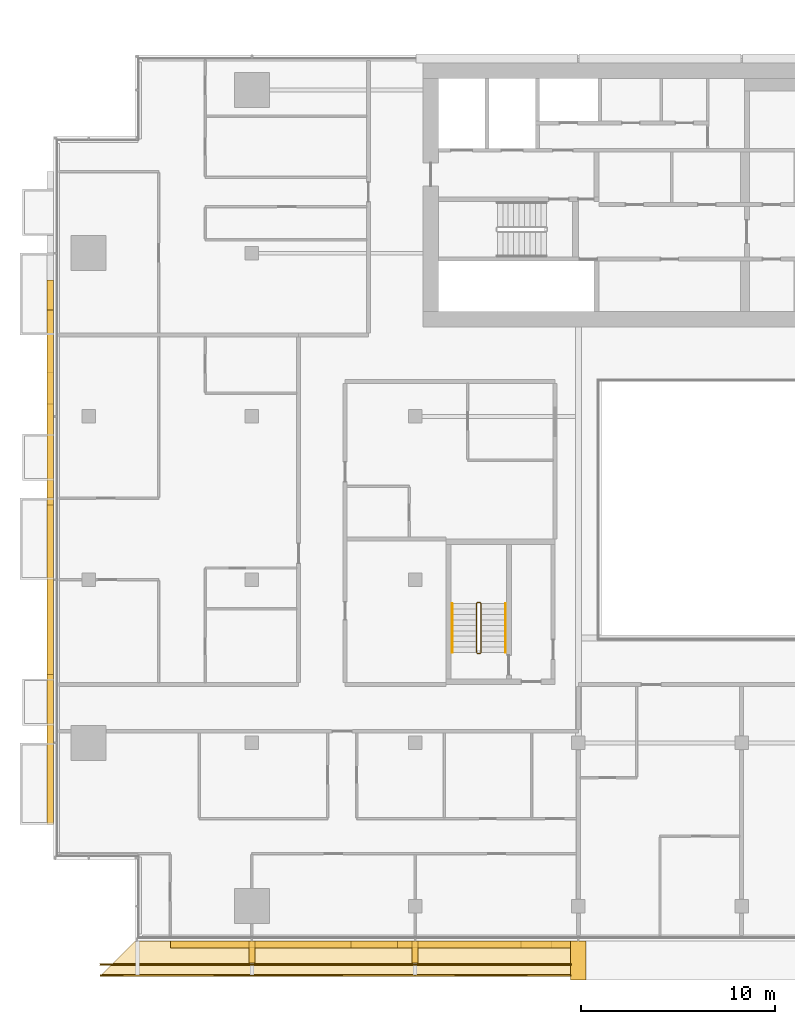
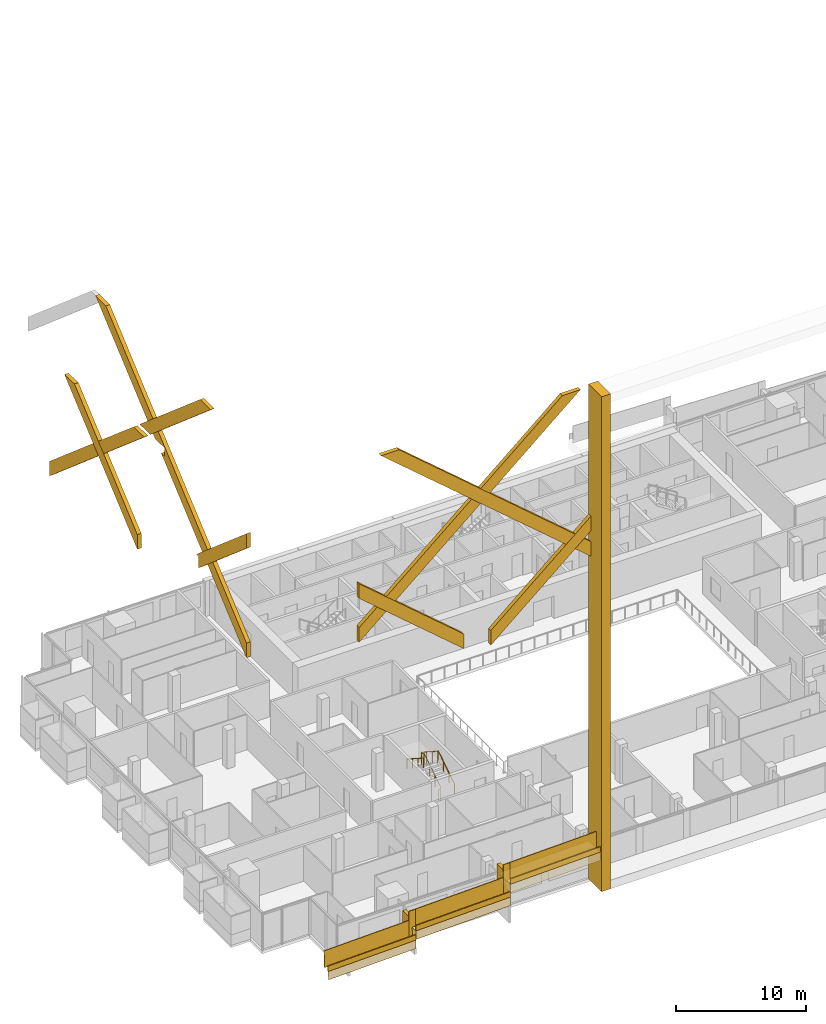
# One storey, part 27 of 31: 18 coverings, 8 railings.
"""IFC4 building model written with IfcOpenShell, lengths in metres."""

import ifcopenshell
import ifcopenshell.guid

model = None  # the IFC model being written
_history = None  # IfcOwnerHistory: only IFC2X3 demands one
_inside = {}  # id of a spatial element -> (the spatial element, [elements in it])
_under = {}  # id of a project, library or spatial element -> (it, [spatial elements below it])
_declared = {}  # id of a project -> (the project, [libraries it declares])
_typed = {}  # id of a type object -> (the type object, [elements of that type])
_made_of = {}  # id of a material, layer set ... -> (it, [elements and type objects made of it])


def new_model(schema):
    """Start an empty IFC model of exactly this schema.

    Asked for "IFC4X3", IfcOpenShell would pick the latest addendum, in which some entities
    have other attributes; the version numbers below select the first issue.
    IFC2X3 requires an IfcOwnerHistory on every rooted entity: one is made here for all.
    """
    global model, _history
    if schema == "IFC4X3":
        model = ifcopenshell.file(schema_version=(4, 3, 0, 0))
    else:
        model = ifcopenshell.file(schema=schema)
    _inside.clear()
    _under.clear()
    _declared.clear()
    _typed.clear()
    _made_of.clear()
    _history = None
    if model.schema == "IFC2X3":
        org = make("IfcOrganization", Name="unknown")
        user = make(
            "IfcPersonAndOrganization",
            ThePerson=make("IfcPerson", FamilyName="unknown"),
            TheOrganization=org,
        )
        app = make(
            "IfcApplication",
            ApplicationDeveloper=org,
            Version="unknown",
            ApplicationFullName="unknown",
            ApplicationIdentifier="unknown",
        )
        _history = make(
            "IfcOwnerHistory",
            OwningUser=user,
            OwningApplication=app,
            ChangeAction="ADDED",
            CreationDate=0,
        )
    return model


def make(cls, **values):
    """One entity of the class cls with the attributes given. An attribute that is None is left unset."""
    return model.create_entity(
        cls, **{name: value for name, value in values.items() if value is not None}
    )


def rooted(cls, **values):
    """An entity with a GlobalId (a new one), such as an element, a storey or a relation."""
    return make(cls, GlobalId=ifcopenshell.guid.new(), OwnerHistory=_history, **values)


def si_unit(unit_type, name, prefix=None):
    """IfcSIUnit, for example si_unit("LENGTHUNIT", "METRE", prefix="MILLI")."""
    return make("IfcSIUnit", UnitType=unit_type, Prefix=prefix, Name=name)


def assignment(units):
    """IfcUnitAssignment: the units of a project."""
    return None if units is None else make("IfcUnitAssignment", Units=units)


def point(xyz):
    """IfcCartesianPoint."""
    return None if xyz is None else make("IfcCartesianPoint", Coordinates=xyz)


def direction(xyz):
    """IfcDirection."""
    return None if xyz is None else make("IfcDirection", DirectionRatios=xyz)


def frame(location, z_axis=None, x_axis=None):
    """IfcAxis2Placement3D, a coordinate frame: its origin and axes. An axis left out is left unset."""
    return make(
        "IfcAxis2Placement3D",
        Location=point(location),
        Axis=direction(z_axis),
        RefDirection=direction(x_axis),
    )


def frame_2d(location, x_axis=None):
    """IfcAxis2Placement2D, a coordinate frame in the plane: its origin and x axis."""
    return make(
        "IfcAxis2Placement2D", Location=point(location), RefDirection=direction(x_axis)
    )


def origin():
    """The frame at (0, 0, 0) with its axes left unset."""
    return frame((0.0, 0.0, 0.0))


def origin_2d():
    """The frame at (0, 0) in the plane with its x axis left unset."""
    return frame_2d((0.0, 0.0))


def place(relative_to, where):
    """IfcLocalPlacement: puts the frame where relative to a parent placement (None: the world)."""
    return make(
        "IfcLocalPlacement", PlacementRelTo=relative_to, RelativePlacement=where
    )


def context(
    kind, dimensions, precision=None, world=None, true_north=None, identifier=None
):
    """IfcGeometricRepresentationContext, for example the 3D "Model" context."""
    return make(
        "IfcGeometricRepresentationContext",
        ContextIdentifier=identifier,
        ContextType=kind,
        CoordinateSpaceDimension=dimensions,
        Precision=precision,
        WorldCoordinateSystem=world,
        TrueNorth=true_north,
    )


def subcontext(parent, identifier, kind, view, scale=None):
    """IfcGeometricRepresentationSubContext, for example "Body" below "Model"."""
    return make(
        "IfcGeometricRepresentationSubContext",
        ContextIdentifier=identifier,
        ContextType=kind,
        ParentContext=parent,
        TargetScale=scale,
        TargetView=view,
    )


def project(units=None, contexts=None):
    """IfcProject with its units and contexts."""
    return rooted(
        "IfcProject",
        Name="project",
        RepresentationContexts=contexts,
        UnitsInContext=assignment(units),
    )


def spatial(cls, under=None, at=None, **own):
    """A site, building, storey or space (cls), placed at a placement, below another one or the project."""
    s = rooted(cls, ObjectPlacement=at, **own)
    if under is not None:
        _under.setdefault(under.id(), (under, []))[1].append(s)
    return s


def polyline(points):
    """IfcPolyline through the points."""
    return make("IfcPolyline", Points=[point(p) for p in points])


def profile(cls, at=None, kind="AREA", **sizes):
    """A parametric profile (cls). Its sizes go by their IFC names, for example OverallWidth=200.0."""
    return make(cls, ProfileType=kind, Position=at, **sizes)


def rectangle(**sizes):
    """IfcRectangleProfileDef."""
    return profile("IfcRectangleProfileDef", **sizes)


def circle(**sizes):
    """IfcCircleProfileDef."""
    return profile("IfcCircleProfileDef", **sizes)


def outline(outer, holes=None, kind="AREA"):
    """IfcArbitraryClosedProfileDef: a profile drawn as a closed curve; with holes, ...WithVoids."""
    if holes is None:
        return make("IfcArbitraryClosedProfileDef", ProfileType=kind, OuterCurve=outer)
    return make(
        "IfcArbitraryProfileDefWithVoids",
        ProfileType=kind,
        OuterCurve=outer,
        InnerCurves=holes,
    )


def extrude(swept, where, along, depth):
    """IfcExtrudedAreaSolid: the profile swept, set in the frame where, extruded along a direction by depth."""
    return make(
        "IfcExtrudedAreaSolid",
        SweptArea=swept,
        Position=where,
        ExtrudedDirection=direction(along),
        Depth=depth,
    )


def shape(context_of_items, identifier, shape_type, items):
    """IfcShapeRepresentation: the items that make up one representation, for example the "Body"."""
    return make(
        "IfcShapeRepresentation",
        ContextOfItems=context_of_items,
        RepresentationIdentifier=identifier,
        RepresentationType=shape_type,
        Items=items,
    )


def material(Name=None, Category=None):
    """IfcMaterial."""
    return make("IfcMaterial", Name=Name, Category=Category)


def layer(
    of_material, thickness, ventilated=None, Name=None, Category=None, Priority=None
):
    """IfcMaterialLayer: one layer of a wall or slab, of a material (None: an air gap)."""
    return make(
        "IfcMaterialLayer",
        Material=of_material,
        LayerThickness=thickness,
        IsVentilated=ventilated,
        Name=Name,
        Category=Category,
        Priority=Priority,
    )


def layer_set(layers, Name=None):
    """IfcMaterialLayerSet."""
    return make("IfcMaterialLayerSet", MaterialLayers=layers, LayerSetName=Name)


def made_of(thing, what):
    """Note that an element or type object is made of a material, layer set ...; save() writes the relation."""
    if what is not None:
        _made_of.setdefault(what.id(), (what, []))[1].append(thing)
    return thing


def type_object(cls, material=None, **own):
    """A type object (cls), such as IfcWallType, which elements share."""
    return made_of(rooted(cls, **own), material)


def element(
    cls,
    number,
    at=None,
    inside=None,
    cuts=None,
    type_object=None,
    material=None,
    context=None,
    identifier="Body",
    shape_type=None,
    held_by="IfcProductDefinitionShape",
    body=None,
    shapes=None,
    **own,
):
    """One element of the class cls, such as IfcWall. Its Tag is "e" and its number.

    at: its placement. inside: the storey or other place that contains it. cuts: it is an
    opening in that element (IfcRelVoidsElement). A single representation is given by context,
    identifier, shape_type and body (its items); several are given by shapes. held_by: the class
    of the entity that holds the representations. save() writes the other relations.
    """
    e = rooted(cls, Tag="e%d" % number, ObjectPlacement=at, **own)
    if body is not None:
        shapes = [shape(context, identifier, shape_type, body)]
    if shapes is not None:
        e.Representation = make(held_by, Representations=shapes)
    if inside is not None:
        _inside.setdefault(inside.id(), (inside, []))[1].append(e)
    if cuts is not None:
        rooted(
            "IfcRelVoidsElement", RelatingBuildingElement=cuts, RelatedOpeningElement=e
        )
    if type_object is not None:
        _typed.setdefault(type_object.id(), (type_object, []))[1].append(e)
    return made_of(e, material)


def aggregate(whole, parts):
    """IfcRelAggregates: a whole, such as a stair, and the parts it consists of."""
    return rooted("IfcRelAggregates", RelatingObject=whole, RelatedObjects=parts)


def save(model, path):
    """Write the relations noted so far, then the file.

    IfcRelAggregates (storeys below a building ...), IfcRelContainedInSpatialStructure (elements
    in a storey), IfcRelDefinesByType, IfcRelAssociatesMaterial and IfcRelDeclares: one each for
    every whole, place, type object, material and project.
    """
    for whole, parts in _under.values():
        aggregate(whole, parts)
    for where, things in _inside.values():
        rooted(
            "IfcRelContainedInSpatialStructure",
            RelatedElements=things,
            RelatingStructure=where,
        )
    for kind, things in _typed.values():
        rooted("IfcRelDefinesByType", RelatedObjects=things, RelatingType=kind)
    for what, things in _made_of.values():
        rooted("IfcRelAssociatesMaterial", RelatedObjects=things, RelatingMaterial=what)
    for by, libraries in _declared.values():
        rooted("IfcRelDeclares", RelatingContext=by, RelatedDefinitions=libraries)
    model.write(path)


model = new_model("IFC4")

# Units and contexts
model_context = context("Model", 3, precision=1e-05, world=origin(), true_north=direction((0.0, 1.0)))
body_context = subcontext(model_context, "Body", "Model", "MODEL_VIEW")
ifc_project = project(units=[si_unit("LENGTHUNIT", "METRE"), si_unit("AREAUNIT", "SQUARE_METRE"), si_unit("VOLUMEUNIT", "CUBIC_METRE"), si_unit("PLANEANGLEUNIT", "RADIAN"), si_unit("MASSUNIT", "GRAM", prefix="KILO")], contexts=[model_context])

# Site, building, storey
site_placement = place(None, origin())
site = spatial("IfcSite", under=ifc_project, at=site_placement, CompositionType="ELEMENT")
building_placement = place(site_placement, origin())
building = spatial("IfcBuilding", under=site, at=building_placement, Name="Saffron Gate Tower", CompositionType="ELEMENT")
storey_placement = place(building_placement, frame((0.0, 0.0, 147.449951171875)))
storey = spatial("IfcBuildingStorey", under=building, at=storey_placement, Name="L35", CompositionType="ELEMENT", Elevation=147.449951171875)

# Railings
ifc_material_1 = material(Name="Stainless steel and laminated glass", Category="steel")
railing_type_1 = type_object("IfcRailingType", Name="CR1 Stair guard 1100", PredefinedType="GUARDRAIL", material=ifc_material_1)
railing_1_placement = place(storey_placement, frame((69.800048828125, 44.800048828125, 0.0)))
element("IfcRailing", 1, at=railing_1_placement, inside=storey, type_object=railing_type_1, Name="L35 ST-D stair guard 1", PredefinedType="GUARDRAIL", context=body_context, shape_type="SweptSolid", body=[
    extrude(circle(Radius=0.02392578125, at=origin_2d()), frame((0.0, 0.0, 1.076171875), z_axis=(1.0, 0.0, 0.0), x_axis=(0.0, 1.0, 0.0)), (0.0, 0.0, 1.0), 0.14990234375),
    extrude(circle(Radius=0.02392578125, at=origin_2d()), frame((0.14990234375, 0.0, 1.076171875), z_axis=(0.258847668887, 0.258847668887, 0.930588936439), x_axis=(-0.707106781187, 0.707106781187, 0.0)), (0.0, 0.0, 1.0), 0.193359375),
    extrude(circle(Radius=0.02392578125, at=origin_2d()), frame((0.199951171875, 0.050048828125, 1.255859375), z_axis=(0.0, 0.841162588446, 0.540782303519), x_axis=(-1.0, 0.0, 0.0)), (0.0, 0.0, 1.0), 2.995849609375),
    extrude(circle(Radius=0.02392578125, at=origin_2d()), frame((0.199951171875, 2.570068359375, 2.8759765625), z_axis=(-0.708833529934, 0.705375805398, 0.0), x_axis=(-0.705375805398, -0.708833529934, 0.0)), (0.0, 0.0, 1.0), 0.070556640625),
    extrude(circle(Radius=0.02392578125, at=origin_2d()), frame((0.14990234375, 2.619873046875, 2.8759765625), z_axis=(-1.0, 0.0, 0.0), x_axis=(0.0, -1.0, 0.0)), (0.0, 0.0, 1.0), 0.14990234375),
    extrude(circle(Radius=0.02392578125, at=origin_2d()), frame((0.0, 2.619873046875, 2.8759765625), z_axis=(-0.258932105505, -0.257669022063, 0.930892496375), x_axis=(0.705375805398, -0.708833529934, 0.0)), (0.0, 0.0, 1.0), 0.193359375),
    extrude(circle(Radius=0.02392578125, at=origin_2d()), frame((-0.050048828125, 2.570068359375, 3.05615234375), z_axis=(0.0, -0.841162588446, 0.540782303519), x_axis=(1.0, 0.0, 0.0)), (0.0, 0.0, 1.0), 2.995849609375),
    extrude(circle(Radius=0.02099609375, at=origin_2d()), origin(), (0.0, 0.0, 1.0), 1.052001953125),
    extrude(circle(Radius=0.02099609375, at=origin_2d()), frame((0.14990234375, 0.0, 0.0)), (0.0, 0.0, 1.0), 1.052001953125),
    extrude(circle(Radius=0.02099609375, at=origin_2d()), frame((0.199951171875, 0.050048828125, 0.179931640625)), (0.0, 0.0, 1.0), 1.052001953125),
    extrude(circle(Radius=0.02099609375, at=origin_2d()), frame((0.199951171875, 0.89013671875, 0.719970703125)), (0.0, 0.0, 1.0), 1.052001953125),
    extrude(circle(Radius=0.02099609375, at=origin_2d()), frame((0.199951171875, 1.72998046875, 1.260009765625)), (0.0, 0.0, 1.0), 1.052001953125),
    extrude(circle(Radius=0.02099609375, at=origin_2d()), frame((0.199951171875, 2.570068359375, 1.800048828125)), (0.0, 0.0, 1.0), 1.052001953125),
    extrude(circle(Radius=0.02099609375, at=origin_2d()), frame((0.14990234375, 2.619873046875, 1.800048828125)), (0.0, 0.0, 1.0), 1.052001953125),
    extrude(circle(Radius=0.02099609375, at=origin_2d()), frame((0.0, 2.619873046875, 1.800048828125)), (0.0, 0.0, 1.0), 1.052001953125),
    extrude(circle(Radius=0.02099609375, at=origin_2d()), frame((-0.050048828125, 2.570068359375, 1.97998046875)), (0.0, 0.0, 1.0), 1.052001953125),
    extrude(circle(Radius=0.02099609375, at=origin_2d()), frame((-0.050048828125, 1.72998046875, 2.52001953125)), (0.0, 0.0, 1.0), 1.052001953125),
    extrude(circle(Radius=0.02099609375, at=origin_2d()), frame((-0.050048828125, 0.89013671875, 3.06005859375)), (0.0, 0.0, 1.0), 1.052001953125),
    extrude(circle(Radius=0.02099609375, at=origin_2d()), frame((-0.050048828125, 0.050048828125, 3.60009765625)), (0.0, 0.0, 1.0), 1.052001953125),
])
ifc_material_2 = material(Name="Stainless steel", Category="steel")
railing_type_2 = type_object("IfcRailingType", Name="CR2 Stair handrail 900", PredefinedType="HANDRAIL", material=ifc_material_2)
railing_2_placement = place(storey_placement, frame((71.25, 44.85009765625, 0.179931640625)))
element("IfcRailing", 2, at=railing_2_placement, inside=storey, type_object=railing_type_2, Name="L35 ST-D stair handrail 1", PredefinedType="HANDRAIL", context=body_context, shape_type="SweptSolid", body=[
    extrude(circle(Radius=0.02392578125, at=origin_2d()), frame((0.0, 0.0, 0.8759765625), z_axis=(0.0, 0.841162588446, 0.540782303519), x_axis=(-1.0, 0.0, 0.0)), (0.0, 0.0, 1.0), 2.995849609375),
    extrude(circle(Radius=0.02099609375, at=origin_2d()), origin(), (0.0, 0.0, 1.0), 0.851806640625),
    extrude(circle(Radius=0.02099609375, at=origin_2d()), frame((0.0, 0.840087890625, 0.5400390625)), (0.0, 0.0, 1.0), 0.851806640625),
    extrude(circle(Radius=0.02099609375, at=origin_2d()), frame((0.0, 1.679931640625, 1.080078125)), (0.0, 0.0, 1.0), 0.851806640625),
    extrude(circle(Radius=0.02099609375, at=origin_2d()), frame((0.0, 2.52001953125, 1.6201171875)), (0.0, 0.0, 1.0), 0.851806640625),
])
railing_3_placement = place(storey_placement, frame((68.5, 47.3701171875, 1.97998046875)))
element("IfcRailing", 3, at=railing_3_placement, inside=storey, type_object=railing_type_2, Name="L35 ST-D stair handrail 2", PredefinedType="HANDRAIL", context=body_context, shape_type="SweptSolid", body=[
    extrude(circle(Radius=0.02392578125, at=origin_2d()), frame((0.0, 0.0, 0.8759765625), z_axis=(0.0, -0.841162588446, 0.540782303519), x_axis=(1.0, 0.0, 0.0)), (0.0, 0.0, 1.0), 2.995849609375),
    extrude(circle(Radius=0.02099609375, at=origin_2d()), origin(), (0.0, 0.0, 1.0), 0.851806640625),
    extrude(circle(Radius=0.02099609375, at=origin_2d()), frame((0.0, -0.840087890625, 0.5400390625)), (0.0, 0.0, 1.0), 0.851806640625),
    extrude(circle(Radius=0.02099609375, at=origin_2d()), frame((0.0, -1.679931640625, 1.080078125)), (0.0, 0.0, 1.0), 0.851806640625),
    extrude(circle(Radius=0.02099609375, at=origin_2d()), frame((0.0, -2.52001953125, 1.6201171875)), (0.0, 0.0, 1.0), 0.851806640625),
])

# Coverings
ifc_material_3 = material(Name="Ceramic-printed bronze insulated panel")
ifc_layer_1 = layer(ifc_material_3, 0.800048828125)
ifc_layer_set_1 = layer_set([ifc_layer_1], Name="FN1 atrium fin")
covering_type_1 = type_object("IfcCoveringType", Name="FN1 atrium fin", PredefinedType="CLADDING", material=ifc_layer_set_1)
covering_1_placement = place(storey_placement, origin())
element("IfcCovering", 4, at=covering_1_placement, inside=storey, type_object=covering_type_1, Name="CLADDING atrium fin", PredefinedType="CLADDING", context=body_context, shape_type="SweptSolid", body=[
    extrude(outline(polyline([(74.60009765625, 30.0), (75.39990234375, 30.0), (75.39990234375, 28.0), (74.60009765625, 28.0), (74.60009765625, 30.0)])), origin(), (0.0, 0.0, 1.0), 46.5),
])
ifc_material_4 = material(Name="Timber, thermally modified ash", Category="wood")
ifc_layer_2 = layer(ifc_material_4, 0.800048828125)
ifc_layer_set_2 = layer_set([ifc_layer_2], Name="LD1 ledge timber")
covering_type_2 = type_object("IfcCoveringType", Name="LD1 ledge timber", PredefinedType="CLADDING", material=ifc_layer_set_2)
covering_2_placement = place(storey_placement, frame((52.199951171875, 30.0, 0.900146484375), z_axis=(-0.028807146299, -3.5027307e-05, 0.99958498743), x_axis=(0.999584988043, -3.68e-10, 0.028807146316)))
element("IfcCovering", 5, at=covering_2_placement, inside=storey, type_object=covering_type_2, Name="LEDGE", PredefinedType="CLADDING", context=body_context, shape_type="SweptSolid", body=[
    extrude(outline(polyline([(0.0, 0.0), (6.0024892885105, 2.541098841762901e-21), (6.002489289172793, -1.8000488270207489), (-1.800799813548424, -1.8000488321003227), (0.0, 0.0)])), origin(), (0.0, 0.0, -1.0), 0.800048828125),
])
covering_3_placement = place(storey_placement, frame((58.199951171875, 30.0, 1.93017578125), z_axis=(-0.028819366951, 0.0, 0.999584635781), x_axis=(0.999584635781, 0.0, 0.028819366951)))
element("IfcCovering", 6, at=covering_3_placement, inside=storey, type_object=covering_type_2, Name="LEDGE", PredefinedType="CLADDING", context=body_context, shape_type="SweptSolid", body=[
    extrude(outline(polyline([(0.0, 0.0), (8.403637054520734, 0.0), (8.403637054520734, -1.800048828125), (0.0, -1.800048828125), (0.0, 0.0)])), origin(), (0.0, 0.0, -1.0), 0.800048828125),
])
covering_4_placement = place(storey_placement, frame((66.60009765625, 30.0, 3.37255859375), z_axis=(-0.028796646555, 0.0, 0.999585290582), x_axis=(0.999585290582, 0.0, 0.028796646555)))
element("IfcCovering", 7, at=covering_4_placement, inside=storey, type_object=covering_type_2, Name="LEDGE", PredefinedType="CLADDING", context=body_context, shape_type="SweptSolid", body=[
    extrude(outline(polyline([(0.0, 0.0), (8.003319051788862, 0.0), (8.003319051788862, -1.800048828125), (0.0, -1.800048828125), (0.0, 0.0)])), origin(), (0.0, 0.0, -1.0), 0.800048828125),
])
ifc_layer_3 = layer(ifc_material_4, 0.080078125)
ifc_layer_set_3 = layer_set([ifc_layer_3], Name="LD2 ledge planter trough")
covering_type_3 = type_object("IfcCoveringType", Name="LD2 ledge planter trough", PredefinedType="CLADDING", material=ifc_layer_set_3)
covering_5_placement = place(storey_placement, frame((50.39990234375, 28.199951171875, 0.84814453125), z_axis=(0.0, -1.0, 0.0), x_axis=(0.999584755248, 0.0, 0.028815222999)))
element("IfcCovering", 8, at=covering_5_placement, inside=storey, type_object=covering_type_3, Name="LEDGE planter trough", PredefinedType="CLADDING", context=body_context, shape_type="SweptSolid", body=[
    extrude(outline(polyline([(0.0, 0.0), (7.803289102975944, 0.0), (7.8176967144752565, 0.4997923776238338), (0.014407611499312996, 0.4997923776238338), (0.0, 0.0)])), origin(), (0.0, 0.0, -1.0), 0.080078125),
])
covering_6_placement = place(storey_placement, frame((58.199951171875, 28.199951171875, 1.93017578125), z_axis=(0.0, -1.0, 0.0), x_axis=(0.999584635781, 0.0, 0.028819366951)))
element("IfcCovering", 9, at=covering_6_placement, inside=storey, type_object=covering_type_3, Name="LEDGE planter trough", PredefinedType="CLADDING", context=body_context, shape_type="SweptSolid", body=[
    extrude(outline(polyline([(0.0, 0.0), (8.403637054520734, 2.7755575615628914e-17), (8.418046737996397, 0.49979231789027256), (0.014409683475663392, 0.4997923178902725), (0.0, 0.0)])), origin(), (0.0, 0.0, -1.0), 0.080078125),
])
covering_7_placement = place(storey_placement, frame((66.60009765625, 28.199951171875, 3.37255859375), z_axis=(0.0, -1.0, 0.0), x_axis=(0.999585290582, 0.0, 0.028796646555)))
element("IfcCovering", 10, at=covering_7_placement, inside=storey, type_object=covering_type_3, Name="LEDGE planter trough", PredefinedType="CLADDING", context=body_context, shape_type="SweptSolid", body=[
    extrude(outline(polyline([(0.0, 0.0), (8.003319051788862, 0.0), (8.017717375066283, 0.4997926452908234), (0.014398323277421184, 0.49979264529082346), (0.0, 0.0)])), origin(), (0.0, 0.0, -1.0), 0.080078125),
])
ifc_layer_4 = layer(ifc_material_4, 0.300048828125)
ifc_layer_set_4 = layer_set([ifc_layer_4], Name="LD3 ledge riser fin")
covering_type_4 = type_object("IfcCoveringType", Name="LD3 ledge riser fin", PredefinedType="CLADDING", material=ifc_layer_set_4)
covering_8_placement = place(storey_placement, frame((58.199951171875, 29.43994140625, 0.27294921875), z_axis=(0.0, 0.0, 1.0), x_axis=(1.0, 0.0, 0.0)))
element("IfcCovering", 11, at=covering_8_placement, inside=storey, type_object=covering_type_4, Name="LEDGE riser fin", PredefinedType="CLADDING", context=body_context, shape_type="SweptSolid", body=[
    extrude(rectangle(XDim=0.300048828125, YDim=1.1201171875, at=origin_2d()), origin(), (0.0, 0.0, 1.0), 2.557373046875),
])
covering_9_placement = place(storey_placement, frame((66.60009765625, 29.43994140625, 1.372314453125), z_axis=(0.0, 0.0, 1.0), x_axis=(1.0, 0.0, 0.0)))
element("IfcCovering", 12, at=covering_9_placement, inside=storey, type_object=covering_type_4, Name="LEDGE riser fin", PredefinedType="CLADDING", context=body_context, shape_type="SweptSolid", body=[
    extrude(rectangle(XDim=0.300048828125, YDim=1.1201171875, at=origin_2d()), origin(), (0.0, 0.0, 1.0), 2.900390625),
])

# Railings
railing_type_3 = type_object("IfcRailingType", Name="LG1 ledge balustrade", PredefinedType="BALUSTRADE", material=ifc_material_4)
railing_4_placement = place(storey_placement, frame((50.39990234375, 28.800048828125, 0.84814453125)))
element("IfcRailing", 13, at=railing_4_placement, inside=storey, type_object=railing_type_3, Name="LEDGE BALUSTRADE", PredefinedType="BALUSTRADE", context=body_context, shape_type="SweptSolid", body=[
    extrude(rectangle(XDim=0.06005859375, YDim=1.60009765625, at=origin_2d()), frame((0.0, 0.0, 0.800048828125), z_axis=(0.999584755248, 0.0, 0.028815222999), x_axis=(0.0, 1.0, 0.0)), (0.0, 0.0, 1.0), 7.80322265625),
])
railing_5_placement = place(storey_placement, frame((58.199951171875, 28.800048828125, 1.93017578125)))
element("IfcRailing", 14, at=railing_5_placement, inside=storey, type_object=railing_type_3, Name="LEDGE BALUSTRADE", PredefinedType="BALUSTRADE", context=body_context, shape_type="SweptSolid", body=[
    extrude(rectangle(XDim=0.06005859375, YDim=1.60009765625, at=origin_2d()), frame((0.0, 0.0, 0.800048828125), z_axis=(0.999584635781, 0.0, 0.028819366951), x_axis=(0.0, 1.0, 0.0)), (0.0, 0.0, 1.0), 8.403564453125),
])
railing_6_placement = place(storey_placement, frame((57.89990234375, 28.800048828125, 1.072998046875)))
element("IfcRailing", 15, at=railing_6_placement, inside=storey, type_object=railing_type_3, Name="LEDGE BALUSTRADE", PredefinedType="BALUSTRADE", context=body_context, shape_type="SweptSolid", body=[
    extrude(rectangle(XDim=0.06005859375, YDim=2.45751953125, at=origin_2d()), frame((0.0, 0.0, 1.228759765625), z_axis=(1.0, 0.0, 0.0), x_axis=(0.0, 1.0, 0.0)), (0.0, 0.0, 1.0), 0.60009765625),
])
railing_7_placement = place(storey_placement, frame((66.60009765625, 28.800048828125, 3.37255859375)))
element("IfcRailing", 16, at=railing_7_placement, inside=storey, type_object=railing_type_3, Name="LEDGE BALUSTRADE", PredefinedType="BALUSTRADE", context=body_context, shape_type="SweptSolid", body=[
    extrude(rectangle(XDim=0.06005859375, YDim=1.60009765625, at=origin_2d()), frame((0.0, 0.0, 0.800048828125), z_axis=(0.999585290582, 0.0, 0.028796646555), x_axis=(0.0, 1.0, 0.0)), (0.0, 0.0, 1.0), 8.00341796875),
])
railing_8_placement = place(storey_placement, frame((66.300048828125, 28.800048828125, 2.17236328125)))
element("IfcRailing", 17, at=railing_8_placement, inside=storey, type_object=railing_type_3, Name="LEDGE BALUSTRADE", PredefinedType="BALUSTRADE", context=body_context, shape_type="SweptSolid", body=[
    extrude(rectangle(XDim=0.06005859375, YDim=2.80029296875, at=origin_2d()), frame((0.0, 0.0, 1.400146484375), z_axis=(1.0, 0.0, 0.0), x_axis=(0.0, 1.0, 0.0)), (0.0, 0.0, 1.0), 0.599853515625),
])

# Coverings
ifc_layer_5 = layer(ifc_material_3, 0.35009765625)
ifc_layer_set_5 = layer_set([ifc_layer_5], Name="LZ1 lozenge lattice bar 1600")
covering_type_5 = type_object("IfcCoveringType", Name="LZ1 lozenge lattice bar 1600", PredefinedType="CLADDING", material=ifc_layer_set_5)
covering_10_placement = place(storey_placement, frame((54.0, 29.64990234375, 29.6572265625), z_axis=(0.0, -1.0, 0.0), x_axis=(0.759256602365, 0.0, 0.650791373456)))
element("IfcCovering", 18, at=covering_10_placement, inside=storey, type_object=covering_type_5, Name="CLADDING lozenge lattice bar", PredefinedType="CLADDING", context=body_context, shape_type="SweptSolid", body=[
    extrude(outline(polyline([(0.0, 0.0), (25.88044974852383, 0.0), (24.665750403968218, 1.041170866761954), (0.8924548693120544, 1.0411973475307301), (0.0, 0.0)])), origin(), (0.0, 0.0, -1.0), 0.35009765625),
])
covering_11_placement = place(storey_placement, frame((65.699951171875, 29.64990234375, 26.6572265625), z_axis=(0.0, -1.0, 0.0), x_axis=(0.0, 0.0, -1.0)))
element("IfcCovering", 19, at=covering_11_placement, inside=storey, type_object=covering_type_5, Name="CLADDING lozenge lattice bar", PredefinedType="CLADDING", context=body_context, shape_type="SweptSolid", body=[
    extrude(outline(polyline([(0.0, 0.0), (1.37158203125, 0.0), (-6.599853515625, 9.300048828125), (-7.971435546875, 9.300048828125), (0.0, 0.0)])), origin(), (0.0, 0.0, -1.0), 0.35009765625),
])
covering_12_placement = place(storey_placement, frame((63.300048828125, 29.64990234375, 25.800048828125), z_axis=(0.0, -1.0, 0.0), x_axis=(0.0, 0.0, 1.0)))
element("IfcCovering", 20, at=covering_12_placement, inside=storey, type_object=covering_type_5, Name="CLADDING lozenge lattice bar", PredefinedType="CLADDING", context=body_context, shape_type="SweptSolid", body=[
    extrude(outline(polyline([(0.0, 0.0), (1.371337890625, 0.0), (9.3427734375, 9.300048828125), (7.971435546875, 9.300048828125), (0.0, 0.0)])), origin(), (0.0, 0.0, -1.0), 0.35009765625),
])
covering_13_placement = place(storey_placement, frame((75.0, 29.64990234375, 30.17138671875), z_axis=(0.0, -1.0, 0.0), x_axis=(0.0, 0.0, 1.0)))
element("IfcCovering", 21, at=covering_13_placement, inside=storey, type_object=covering_type_5, Name="CLADDING lozenge lattice bar", PredefinedType="CLADDING", context=body_context, shape_type="SweptSolid", body=[
    extrude(outline(polyline([(0.0, 0.0), (1.37158203125, 0.0), (16.32861328125, 17.449951171875), (16.32861328125, 19.050048828125), (0.0, 0.0)])), origin(), (0.0, 0.0, -1.0), 0.35009765625),
])
covering_14_placement = place(storey_placement, frame((47.64990234375, 66.300048828125, 26.6572265625), z_axis=(-1.0, 0.0, 0.0), x_axis=(0.0, 0.0, -1.0)))
element("IfcCovering", 22, at=covering_14_placement, inside=storey, type_object=covering_type_5, Name="CLADDING lozenge lattice bar", PredefinedType="CLADDING", context=body_context, shape_type="SweptSolid", body=[
    extrude(outline(polyline([(0.0, 0.0), (1.37158203125, 0.0), (-11.0947265625, 14.5439453125), (-11.046875, 12.88818359375), (0.0, 0.0)])), origin(), (0.0, 0.0, -1.0), 0.35009765625),
])
covering_15_placement = place(storey_placement, frame((47.64990234375, 52.446044921875, 38.531982421875), z_axis=(-1.0, 0.0, 0.0), x_axis=(0.0, -0.999586778905, 0.028744937603)))
element("IfcCovering", 23, at=covering_15_placement, inside=storey, type_object=covering_type_5, Name="CLADDING lozenge lattice bar", PredefinedType="CLADDING", context=body_context, shape_type="SweptSolid", body=[
    extrude(outline(polyline([(0.0, 0.0), (1.6562019557102479, 0.0), (11.120533806419362, 7.651520297340154), (9.52134138401551, 7.697507986820872), (0.0, 0.0)])), origin(), (0.0, 0.0, -1.0), 0.35009765625),
])
covering_16_placement = place(storey_placement, frame((47.64990234375, 43.7099609375, 31.6201171875), z_axis=(-1.0, 0.0, 0.0), x_axis=(0.0, -1.0, 0.0)))
element("IfcCovering", 24, at=covering_16_placement, inside=storey, type_object=covering_type_5, Name="CLADDING lozenge lattice bar", PredefinedType="CLADDING", context=body_context, shape_type="SweptSolid", body=[
    extrude(outline(polyline([(0.0, 0.0), (0.35986328125, 0.0), (0.35986328125, -1.06298828125), (7.7099609375, 5.237060546875), (7.7099609375, 6.6083984375), (0.0, 0.0)])), origin(), (0.0, 0.0, -1.0), 0.35009765625),
])
covering_17_placement = place(storey_placement, frame((47.64990234375, 52.800048828125, 26.571533203125), z_axis=(-1.0, 0.0, 0.0), x_axis=(0.0, 0.0, 1.0)))
element("IfcCovering", 25, at=covering_17_placement, inside=storey, type_object=covering_type_5, Name="CLADDING lozenge lattice bar", PredefinedType="CLADDING", context=body_context, shape_type="SweptSolid", body=[
    extrude(outline(polyline([(0.0, 0.0), (1.371337890625, 0.0), (9.6708984375, 9.682861328125), (9.62646484375, 11.230712890625), (0.0, 0.0)])), origin(), (0.0, 0.0, -1.0), 0.35009765625),
])
covering_18_placement = place(storey_placement, frame((47.64990234375, 36.0, 27.94287109375), z_axis=(-1.0, 0.0, 0.0), x_axis=(0.0, 0.75925539362, 0.650792783656)))
element("IfcCovering", 26, at=covering_18_placement, inside=storey, type_object=covering_type_5, Name="CLADDING lozenge lattice bar", PredefinedType="CLADDING", context=body_context, shape_type="SweptSolid", body=[
    extrude(outline(polyline([(0.0, 0.0), (28.51465070340317, -1.7763568394002505e-15), (29.72953347922975, 1.0413320078325867), (17.59268216843114, 1.041150580902535), (16.530143113776106, 0.07605698933298832), (16.00947710985981, 0.6834983772462779), (16.40337788069177, 1.0413866988734188), (-0.8924568031729704, 1.041195689932544), (0.0, 0.0)])), origin(), (0.0, 0.0, -1.0), 0.35009765625),
])

save(model, "model.ifc")
